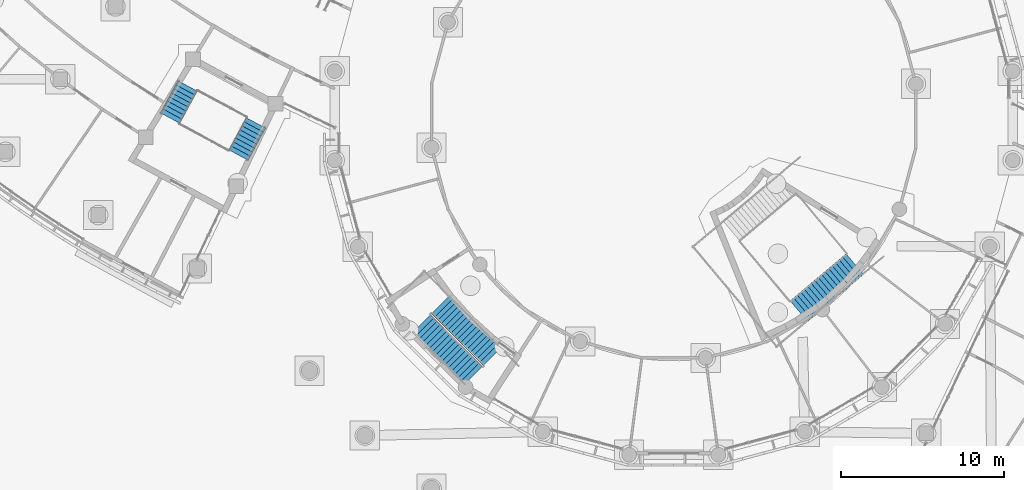
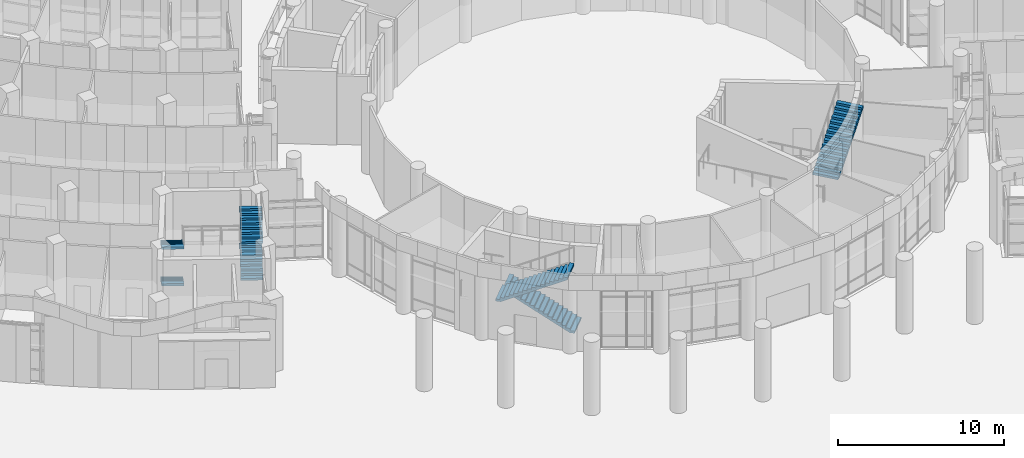
# One storey, part 95 of 146: 7 stair flights, 3 elements without a shape of their own.
"""IFC4 building model written with IfcOpenShell, lengths in metres."""

from ifc_helpers import new_model, si_unit, direction, frame, origin, place, context, subcontext, project, spatial, polyline, outline, extrude, material, type_object, element, aggregate, save


model = new_model("IFC4")

# Units and contexts
model_context = context("Model", 3, precision=1e-05, world=origin(), true_north=direction((0.0, 1.0)))
body_context = subcontext(model_context, "Body", "Model", "MODEL_VIEW")
ifc_project = project(units=[si_unit("LENGTHUNIT", "METRE"), si_unit("AREAUNIT", "SQUARE_METRE"), si_unit("VOLUMEUNIT", "CUBIC_METRE"), si_unit("PLANEANGLEUNIT", "RADIAN"), si_unit("MASSUNIT", "GRAM", prefix="KILO")], contexts=[model_context])

# Site, building, storey
site_placement = place(None, origin())
site = spatial("IfcSite", under=ifc_project, at=site_placement, CompositionType="ELEMENT")
building_placement = place(site_placement, origin())
building = spatial("IfcBuilding", under=site, at=building_placement, Name="Bougainvillea Quay General Hospital", CompositionType="ELEMENT")
storey_placement = place(building_placement, origin())
storey = spatial("IfcBuildingStorey", under=building, at=storey_placement, Name="L00", CompositionType="ELEMENT", Elevation=0.0)

# Stair, stair flights
ifc_material = material(Name="Concrete C35", Category="concrete")
stair_type_1 = type_object("IfcStairType", Name="Stair half-turn 1350 wide", PredefinedType="HALF_TURN_STAIR", material=ifc_material)
stair_1_placement = place(storey_placement, origin())
stair_1 = element("IfcStair", 1, at=stair_1_placement, inside=storey, type_object=stair_type_1, Name="L00 stair ST-W1", PredefinedType="HALF_TURN_STAIR")
stair_flight_type_1 = type_object("IfcStairFlightType", Name="Stair flight 1350", PredefinedType="STRAIGHT", material=ifc_material)
stair_flight_1_placement = place(storey_placement, frame((79.350830078125, 75.82470703125, 0.0), z_axis=(0.0, 0.0, 1.0), x_axis=(-0.475725718378, -0.879593679419, 0.0)))
stair_flight_1 = element("IfcStairFlight", 2, at=stair_flight_1_placement, type_object=stair_flight_type_1, Name="ST-W1 flight 1", NumberOfRisers=9, NumberOfTreads=8, PredefinedType="STRAIGHT", RiserHeight=0.15, TreadLength=0.28, context=body_context, shape_type="SweptSolid", body=[
    extrude(outline(polyline([(-0.0029296875, 0.0), (-0.0029296875, 0.003662109375), (-0.0029296875, 0.00732421875), (-0.0029296875, 0.010986328125), (-0.0029296875, 0.0146484375), (-0.0029296875, 0.018310546875), (-0.0029296875, 0.02197265625), (-0.0029296875, 0.025634765625), (-0.0029296875, 0.029296875), (-0.0029296875, 0.032958984375), (-0.0029296875, 0.03662109375), (-0.0029296875, 0.040283203125), (-0.0029296875, 0.0439453125), (-0.0029296875, 0.047607421875), (-0.0029296875, 0.05126953125), (-0.0029296875, 0.054931640625), (-0.0029296875, 0.05859375), (-0.0029296875, 0.062255859375), (-0.0029296875, 0.06591796875), (-0.0029296875, 0.069580078125), (-0.0029296875, 0.0732421875), (-0.0029296875, 0.076904296875), (-0.0029296875, 0.08056640625), (-0.0029296875, 0.084228515625), (-0.0029296875, 0.087890625), (-0.0029296875, 0.091552734375), (-0.0029296875, 0.09521484375), (-0.0029296875, 0.098876953125), (-0.0029296875, 0.1025390625), (-0.0029296875, 0.106201171875), (-0.0029296875, 0.10986328125), (-0.0029296875, 0.113525390625), (-0.0029296875, 0.1171875), (-0.0029296875, 0.120849609375), (-0.0029296875, 0.12451171875), (-0.0029296875, 0.1279296875), (-0.0029296875, 0.131591796875), (-0.0029296875, 0.13525390625), (-0.0029296875, 0.138916015625), (-0.0029296875, 0.142578125), (-0.0029296875, 0.146240234375), (-0.0029296875, 0.14990234375), (0.280029296875, 0.14990234375), (0.280029296875, 0.300048828125), (0.56005859375, 0.300048828125), (0.56005859375, 0.449951171875), (0.840087890625, 0.449951171875), (0.840087890625, 0.60009765625), (1.1201171875, 0.60009765625), (1.1201171875, 0.75), (1.39990234375, 0.75), (1.39990234375, 0.89990234375), (1.679931640625, 0.89990234375), (1.679931640625, 1.050048828125), (1.9599609375, 1.050048828125), (1.9599609375, 1.199951171875), (2.242919921875, 1.199951171875), (2.242919921875, 1.19580078125), (2.242919921875, 1.191650390625), (2.242919921875, 1.1875), (2.242919921875, 1.183349609375), (2.242919921875, 1.17919921875), (2.242919921875, 1.175048828125), (2.242919921875, 1.1708984375), (2.242919921875, 1.166748046875), (2.242919921875, 1.16259765625), (2.242919921875, 1.158447265625), (2.242919921875, 1.154296875), (2.242919921875, 1.150146484375), (2.242919921875, 1.14599609375), (2.242919921875, 1.141845703125), (2.242919921875, 1.1376953125), (2.242919921875, 1.133544921875), (2.242919921875, 1.12939453125), (2.242919921875, 1.125244140625), (2.242919921875, 1.12109375), (2.242919921875, 1.116943359375), (2.242919921875, 1.11279296875), (2.242919921875, 1.108642578125), (2.242919921875, 1.1044921875), (2.242919921875, 1.100341796875), (2.242919921875, 1.09619140625), (2.242919921875, 1.092041015625), (2.242919921875, 1.087890625), (2.242919921875, 1.083984375), (2.242919921875, 1.079833984375), (2.242919921875, 1.07568359375), (2.242919921875, 1.071533203125), (2.242919921875, 1.0673828125), (2.242919921875, 1.063232421875), (2.242919921875, 1.05908203125), (2.242919921875, 1.054931640625), (2.242919921875, 1.05078125), (2.242919921875, 1.046630859375), (2.242919921875, 1.04248046875), (2.242919921875, 1.038330078125), (2.242919921875, 1.0341796875), (2.242919921875, 1.030029296875), (0.3173828125, 0.0), (-0.0029296875, 0.0)])), frame((0.0, 0.675048828125, 0.0), z_axis=(0.0, -1.0, 0.0), x_axis=(1.0, 0.0, 0.0)), (0.0, 0.0, 1.0), 1.35009765625),
])
stair_flight_2_placement = place(storey_placement, frame((82.482421875, 71.584228515625, 1.35009765625), z_axis=(0.0, 0.0, 1.0), x_axis=(0.475725718378, 0.879593679419, 0.0)))
stair_flight_2 = element("IfcStairFlight", 3, at=stair_flight_2_placement, type_object=stair_flight_type_1, Name="ST-W1 flight 2", NumberOfRisers=9, NumberOfTreads=8, PredefinedType="STRAIGHT", RiserHeight=0.15, TreadLength=0.28, context=body_context, shape_type="SweptSolid", body=[
    extrude(outline(polyline([(-0.0029296875, 0.0), (-0.0029296875, 0.003662109375), (-0.0029296875, 0.00732421875), (-0.0029296875, 0.010986328125), (-0.0029296875, 0.0146484375), (-0.0029296875, 0.018310546875), (-0.0029296875, 0.02197265625), (-0.0029296875, 0.025634765625), (-0.0029296875, 0.029296875), (-0.0029296875, 0.032958984375), (-0.0029296875, 0.03662109375), (-0.0029296875, 0.040283203125), (-0.0029296875, 0.0439453125), (-0.0029296875, 0.047607421875), (-0.0029296875, 0.05126953125), (-0.0029296875, 0.054931640625), (-0.0029296875, 0.05859375), (-0.0029296875, 0.062255859375), (-0.0029296875, 0.06591796875), (-0.0029296875, 0.069580078125), (-0.0029296875, 0.0732421875), (-0.0029296875, 0.076904296875), (-0.0029296875, 0.08056640625), (-0.0029296875, 0.084228515625), (-0.0029296875, 0.087890625), (-0.0029296875, 0.091552734375), (-0.0029296875, 0.09521484375), (-0.0029296875, 0.098876953125), (-0.0029296875, 0.1025390625), (-0.0029296875, 0.106201171875), (-0.0029296875, 0.10986328125), (-0.0029296875, 0.113525390625), (-0.0029296875, 0.1171875), (-0.0029296875, 0.120849609375), (-0.0029296875, 0.12451171875), (-0.0029296875, 0.1279296875), (-0.0029296875, 0.131591796875), (-0.0029296875, 0.13525390625), (-0.0029296875, 0.138916015625), (-0.0029296875, 0.142578125), (-0.0029296875, 0.146240234375), (-0.0029296875, 0.14990234375), (0.280029296875, 0.14990234375), (0.280029296875, 0.300048828125), (0.56005859375, 0.300048828125), (0.56005859375, 0.449951171875), (0.840087890625, 0.449951171875), (0.840087890625, 0.60009765625), (1.1201171875, 0.60009765625), (1.1201171875, 0.75), (1.39990234375, 0.75), (1.39990234375, 0.89990234375), (1.679931640625, 0.89990234375), (1.679931640625, 1.050048828125), (1.9599609375, 1.050048828125), (1.9599609375, 1.199951171875), (2.242919921875, 1.199951171875), (2.242919921875, 1.19580078125), (2.242919921875, 1.191650390625), (2.242919921875, 1.1875), (2.242919921875, 1.183349609375), (2.242919921875, 1.17919921875), (2.242919921875, 1.175048828125), (2.242919921875, 1.1708984375), (2.242919921875, 1.166748046875), (2.242919921875, 1.16259765625), (2.242919921875, 1.158447265625), (2.242919921875, 1.154296875), (2.242919921875, 1.150146484375), (2.242919921875, 1.14599609375), (2.242919921875, 1.141845703125), (2.242919921875, 1.1376953125), (2.242919921875, 1.133544921875), (2.242919921875, 1.12939453125), (2.242919921875, 1.125244140625), (2.242919921875, 1.12109375), (2.242919921875, 1.116943359375), (2.242919921875, 1.11279296875), (2.242919921875, 1.108642578125), (2.242919921875, 1.1044921875), (2.242919921875, 1.100341796875), (2.242919921875, 1.09619140625), (2.242919921875, 1.092041015625), (2.242919921875, 1.087890625), (2.242919921875, 1.083984375), (2.242919921875, 1.079833984375), (2.242919921875, 1.07568359375), (2.242919921875, 1.071533203125), (2.242919921875, 1.0673828125), (2.242919921875, 1.063232421875), (2.242919921875, 1.05908203125), (2.242919921875, 1.054931640625), (2.242919921875, 1.05078125), (2.242919921875, 1.046630859375), (2.242919921875, 1.04248046875), (2.242919921875, 1.038330078125), (2.242919921875, 1.0341796875), (2.242919921875, 1.030029296875), (0.3173828125, 0.0), (-0.0029296875, 0.0)])), frame((0.0, 0.675048828125, 0.0), z_axis=(0.0, -1.0, 0.0), x_axis=(1.0, 0.0, 0.0)), (0.0, 0.0, 1.0), 1.35009765625),
])
stair_flight_3_placement = place(storey_placement, frame((79.350830078125, 75.82470703125, 2.699951171875), z_axis=(0.0, 0.0, 1.0), x_axis=(-0.475725718378, -0.879593679419, 0.0)))
stair_flight_3 = element("IfcStairFlight", 4, at=stair_flight_3_placement, type_object=stair_flight_type_1, Name="ST-W1 flight 3", NumberOfRisers=9, NumberOfTreads=8, PredefinedType="STRAIGHT", RiserHeight=0.15, TreadLength=0.28, context=body_context, shape_type="SweptSolid", body=[
    extrude(outline(polyline([(-0.0029296875, 0.0), (-0.0029296875, 0.003662109375), (-0.0029296875, 0.00732421875), (-0.0029296875, 0.010986328125), (-0.0029296875, 0.0146484375), (-0.0029296875, 0.018310546875), (-0.0029296875, 0.02197265625), (-0.0029296875, 0.025634765625), (-0.0029296875, 0.029296875), (-0.0029296875, 0.032958984375), (-0.0029296875, 0.03662109375), (-0.0029296875, 0.040283203125), (-0.0029296875, 0.0439453125), (-0.0029296875, 0.047607421875), (-0.0029296875, 0.05126953125), (-0.0029296875, 0.054931640625), (-0.0029296875, 0.05859375), (-0.0029296875, 0.062255859375), (-0.0029296875, 0.06591796875), (-0.0029296875, 0.069580078125), (-0.0029296875, 0.0732421875), (-0.0029296875, 0.076904296875), (-0.0029296875, 0.08056640625), (-0.0029296875, 0.084228515625), (-0.0029296875, 0.087890625), (-0.0029296875, 0.091552734375), (-0.0029296875, 0.09521484375), (-0.0029296875, 0.098876953125), (-0.0029296875, 0.1025390625), (-0.0029296875, 0.106201171875), (-0.0029296875, 0.10986328125), (-0.0029296875, 0.113525390625), (-0.0029296875, 0.1171875), (-0.0029296875, 0.120849609375), (-0.0029296875, 0.12451171875), (-0.0029296875, 0.1279296875), (-0.0029296875, 0.131591796875), (-0.0029296875, 0.13525390625), (-0.0029296875, 0.138916015625), (-0.0029296875, 0.142578125), (-0.0029296875, 0.146240234375), (-0.0029296875, 0.14990234375), (0.280029296875, 0.14990234375), (0.280029296875, 0.300048828125), (0.56005859375, 0.300048828125), (0.56005859375, 0.449951171875), (0.840087890625, 0.449951171875), (0.840087890625, 0.60009765625), (1.1201171875, 0.60009765625), (1.1201171875, 0.75), (1.39990234375, 0.75), (1.39990234375, 0.89990234375), (1.679931640625, 0.89990234375), (1.679931640625, 1.050048828125), (1.9599609375, 1.050048828125), (1.9599609375, 1.199951171875), (2.242919921875, 1.199951171875), (2.242919921875, 1.19580078125), (2.242919921875, 1.191650390625), (2.242919921875, 1.1875), (2.242919921875, 1.183349609375), (2.242919921875, 1.17919921875), (2.242919921875, 1.175048828125), (2.242919921875, 1.1708984375), (2.242919921875, 1.166748046875), (2.242919921875, 1.16259765625), (2.242919921875, 1.158447265625), (2.242919921875, 1.154296875), (2.242919921875, 1.150146484375), (2.242919921875, 1.14599609375), (2.242919921875, 1.141845703125), (2.242919921875, 1.1376953125), (2.242919921875, 1.133544921875), (2.242919921875, 1.12939453125), (2.242919921875, 1.125244140625), (2.242919921875, 1.12109375), (2.242919921875, 1.116943359375), (2.242919921875, 1.11279296875), (2.242919921875, 1.108642578125), (2.242919921875, 1.1044921875), (2.242919921875, 1.100341796875), (2.242919921875, 1.09619140625), (2.242919921875, 1.092041015625), (2.242919921875, 1.087890625), (2.242919921875, 1.083984375), (2.242919921875, 1.079833984375), (2.242919921875, 1.07568359375), (2.242919921875, 1.071533203125), (2.242919921875, 1.0673828125), (2.242919921875, 1.063232421875), (2.242919921875, 1.05908203125), (2.242919921875, 1.054931640625), (2.242919921875, 1.05078125), (2.242919921875, 1.046630859375), (2.242919921875, 1.04248046875), (2.242919921875, 1.038330078125), (2.242919921875, 1.0341796875), (2.242919921875, 1.030029296875), (0.3173828125, 0.0), (-0.0029296875, 0.0)])), frame((0.0, 0.675048828125, 0.0), z_axis=(0.0, -1.0, 0.0), x_axis=(1.0, 0.0, 0.0)), (0.0, 0.0, 1.0), 1.35009765625),
])
stair_flight_4_placement = place(storey_placement, frame((82.482421875, 71.584228515625, 4.050048828125), z_axis=(0.0, 0.0, 1.0), x_axis=(0.475725718378, 0.879593679419, 0.0)))
stair_flight_4 = element("IfcStairFlight", 5, at=stair_flight_4_placement, type_object=stair_flight_type_1, Name="ST-W1 flight 4", NumberOfRisers=9, NumberOfTreads=8, PredefinedType="STRAIGHT", RiserHeight=0.15, TreadLength=0.28, context=body_context, shape_type="SweptSolid", body=[
    extrude(outline(polyline([(-0.0029296875, 0.0), (-0.0029296875, 0.003662109375), (-0.0029296875, 0.00732421875), (-0.0029296875, 0.010986328125), (-0.0029296875, 0.0146484375), (-0.0029296875, 0.018310546875), (-0.0029296875, 0.02197265625), (-0.0029296875, 0.025634765625), (-0.0029296875, 0.029296875), (-0.0029296875, 0.032958984375), (-0.0029296875, 0.03662109375), (-0.0029296875, 0.040283203125), (-0.0029296875, 0.0439453125), (-0.0029296875, 0.047607421875), (-0.0029296875, 0.05126953125), (-0.0029296875, 0.054931640625), (-0.0029296875, 0.05859375), (-0.0029296875, 0.062255859375), (-0.0029296875, 0.06591796875), (-0.0029296875, 0.069580078125), (-0.0029296875, 0.0732421875), (-0.0029296875, 0.076904296875), (-0.0029296875, 0.08056640625), (-0.0029296875, 0.084228515625), (-0.0029296875, 0.087890625), (-0.0029296875, 0.091552734375), (-0.0029296875, 0.09521484375), (-0.0029296875, 0.098876953125), (-0.0029296875, 0.1025390625), (-0.0029296875, 0.106201171875), (-0.0029296875, 0.10986328125), (-0.0029296875, 0.113525390625), (-0.0029296875, 0.1171875), (-0.0029296875, 0.120849609375), (-0.0029296875, 0.12451171875), (-0.0029296875, 0.1279296875), (-0.0029296875, 0.131591796875), (-0.0029296875, 0.13525390625), (-0.0029296875, 0.138916015625), (-0.0029296875, 0.142578125), (-0.0029296875, 0.146240234375), (-0.0029296875, 0.14990234375), (0.280029296875, 0.14990234375), (0.280029296875, 0.300048828125), (0.56005859375, 0.300048828125), (0.56005859375, 0.449951171875), (0.840087890625, 0.449951171875), (0.840087890625, 0.60009765625), (1.1201171875, 0.60009765625), (1.1201171875, 0.75), (1.39990234375, 0.75), (1.39990234375, 0.89990234375), (1.679931640625, 0.89990234375), (1.679931640625, 1.050048828125), (1.9599609375, 1.050048828125), (1.9599609375, 1.199951171875), (2.242919921875, 1.199951171875), (2.242919921875, 1.19580078125), (2.242919921875, 1.191650390625), (2.242919921875, 1.1875), (2.242919921875, 1.183349609375), (2.242919921875, 1.17919921875), (2.242919921875, 1.175048828125), (2.242919921875, 1.1708984375), (2.242919921875, 1.166748046875), (2.242919921875, 1.16259765625), (2.242919921875, 1.158447265625), (2.242919921875, 1.154296875), (2.242919921875, 1.150146484375), (2.242919921875, 1.14599609375), (2.242919921875, 1.141845703125), (2.242919921875, 1.1376953125), (2.242919921875, 1.133544921875), (2.242919921875, 1.12939453125), (2.242919921875, 1.125244140625), (2.242919921875, 1.12109375), (2.242919921875, 1.116943359375), (2.242919921875, 1.11279296875), (2.242919921875, 1.108642578125), (2.242919921875, 1.1044921875), (2.242919921875, 1.100341796875), (2.242919921875, 1.09619140625), (2.242919921875, 1.092041015625), (2.242919921875, 1.087890625), (2.242919921875, 1.083984375), (2.242919921875, 1.079833984375), (2.242919921875, 1.07568359375), (2.242919921875, 1.071533203125), (2.242919921875, 1.0673828125), (2.242919921875, 1.063232421875), (2.242919921875, 1.05908203125), (2.242919921875, 1.054931640625), (2.242919921875, 1.05078125), (2.242919921875, 1.046630859375), (2.242919921875, 1.04248046875), (2.242919921875, 1.038330078125), (2.242919921875, 1.0341796875), (2.242919921875, 1.030029296875), (0.3173828125, 0.0), (-0.0029296875, 0.0)])), frame((0.0, 0.675048828125, 0.0), z_axis=(0.0, -1.0, 0.0), x_axis=(1.0, 0.0, 0.0)), (0.0, 0.0, 1.0), 1.35009765625),
])
aggregate(stair_1, [stair_flight_1, stair_flight_2, stair_flight_3, stair_flight_4])

stair_type_2 = type_object("IfcStairType", Name="Stair half-turn 1563 wide", PredefinedType="HALF_TURN_STAIR", material=ifc_material)
stair_2_placement = place(storey_placement, origin())
stair_2 = element("IfcStair", 6, at=stair_2_placement, inside=storey, type_object=stair_type_2, Name="L00 stair ST-H2", PredefinedType="HALF_TURN_STAIR")
stair_flight_type_2 = type_object("IfcStairFlightType", Name="Stair flight 1563", PredefinedType="STRAIGHT", material=ifc_material)
stair_flight_5_placement = place(storey_placement, frame((98.057861328125, 59.229248046875, 0.0), z_axis=(0.0, 0.0, 1.0), x_axis=(-0.707106781187, 0.707106781187, 0.0)))
stair_flight_5 = element("IfcStairFlight", 7, at=stair_flight_5_placement, type_object=stair_flight_type_2, Name="ST-H2 flight 1", NumberOfRisers=17, NumberOfTreads=16, PredefinedType="STRAIGHT", RiserHeight=0.158823529, TreadLength=0.28, context=body_context, shape_type="SweptSolid", body=[
    extrude(outline(polyline([(-0.0029296875, 0.0), (-0.0029296875, 0.00390625), (-0.0029296875, 0.0078125), (-0.0029296875, 0.01171875), (-0.0029296875, 0.015380859375), (-0.0029296875, 0.019287109375), (-0.0029296875, 0.023193359375), (-0.0029296875, 0.027099609375), (-0.0029296875, 0.031005859375), (-0.0029296875, 0.034912109375), (-0.0029296875, 0.038818359375), (-0.0029296875, 0.042724609375), (-0.0029296875, 0.04638671875), (-0.0029296875, 0.05029296875), (-0.0029296875, 0.05419921875), (-0.0029296875, 0.05810546875), (-0.0029296875, 0.06201171875), (-0.0029296875, 0.06591796875), (-0.0029296875, 0.06982421875), (-0.0029296875, 0.073486328125), (-0.0029296875, 0.077392578125), (-0.0029296875, 0.081298828125), (-0.0029296875, 0.085205078125), (-0.0029296875, 0.089111328125), (-0.0029296875, 0.093017578125), (-0.0029296875, 0.096923828125), (-0.0029296875, 0.100830078125), (-0.0029296875, 0.1044921875), (-0.0029296875, 0.1083984375), (-0.0029296875, 0.1123046875), (-0.0029296875, 0.1162109375), (-0.0029296875, 0.1201171875), (-0.0029296875, 0.1240234375), (-0.0029296875, 0.1279296875), (-0.0029296875, 0.131591796875), (-0.0029296875, 0.135498046875), (-0.0029296875, 0.139404296875), (-0.0029296875, 0.143310546875), (-0.0029296875, 0.147216796875), (-0.0029296875, 0.151123046875), (-0.0029296875, 0.155029296875), (-0.0029296875, 0.158935546875), (0.280029296875, 0.158935546875), (0.280029296875, 0.317626953125), (0.56005859375, 0.317626953125), (0.56005859375, 0.4765625), (0.840087890625, 0.4765625), (0.840087890625, 0.63525390625), (1.1201171875, 0.63525390625), (1.1201171875, 0.794189453125), (1.39990234375, 0.794189453125), (1.39990234375, 0.952880859375), (1.679931640625, 0.952880859375), (1.679931640625, 1.11181640625), (1.9599609375, 1.11181640625), (1.9599609375, 1.2705078125), (2.239990234375, 1.2705078125), (2.239990234375, 1.429443359375), (2.52001953125, 1.429443359375), (2.52001953125, 1.588134765625), (2.800048828125, 1.588134765625), (2.800048828125, 1.7470703125), (3.080078125, 1.7470703125), (3.080078125, 1.90576171875), (3.360107421875, 1.90576171875), (3.360107421875, 2.064697265625), (3.639892578125, 2.064697265625), (3.639892578125, 2.2236328125), (3.919921875, 2.2236328125), (3.919921875, 2.38232421875), (4.199951171875, 2.38232421875), (4.199951171875, 2.541259765625), (4.48291015625, 2.541259765625), (4.48291015625, 2.536865234375), (4.48291015625, 2.53271484375), (4.48291015625, 2.528564453125), (4.48291015625, 2.5244140625), (4.48291015625, 2.520263671875), (4.48291015625, 2.515869140625), (4.48291015625, 2.51171875), (4.48291015625, 2.507568359375), (4.48291015625, 2.50341796875), (4.48291015625, 2.4990234375), (4.48291015625, 2.494873046875), (4.48291015625, 2.49072265625), (4.48291015625, 2.486572265625), (4.48291015625, 2.482421875), (4.48291015625, 2.47802734375), (4.48291015625, 2.473876953125), (4.48291015625, 2.4697265625), (4.48291015625, 2.465576171875), (4.48291015625, 2.46142578125), (4.48291015625, 2.45703125), (4.48291015625, 2.452880859375), (4.48291015625, 2.44873046875), (4.48291015625, 2.444580078125), (4.48291015625, 2.440185546875), (4.48291015625, 2.43603515625), (4.48291015625, 2.431884765625), (4.48291015625, 2.427734375), (4.48291015625, 2.423583984375), (4.48291015625, 2.419189453125), (4.48291015625, 2.4150390625), (4.48291015625, 2.410888671875), (4.48291015625, 2.40673828125), (4.48291015625, 2.40234375), (4.48291015625, 2.398193359375), (4.48291015625, 2.39404296875), (4.48291015625, 2.389892578125), (4.48291015625, 2.3857421875), (4.48291015625, 2.38134765625), (4.48291015625, 2.377197265625), (4.48291015625, 2.373046875), (4.48291015625, 2.368896484375), (0.3037109375, 0.0), (-0.0029296875, 0.0)])), frame((0.0, 0.781494140625, 0.0), z_axis=(0.0, -1.0, 0.0), x_axis=(1.0, 0.0, 0.0)), (0.0, 0.0, 1.0), 1.56298828125),
])
stair_flight_6_placement = place(storey_placement, frame((93.714111328125, 61.22119140625, 2.699951171875), z_axis=(0.0, 0.0, 1.0), x_axis=(0.707106781187, -0.707106781187, 0.0)))
stair_flight_6 = element("IfcStairFlight", 8, at=stair_flight_6_placement, type_object=stair_flight_type_2, Name="ST-H2 flight 2", NumberOfRisers=17, NumberOfTreads=16, PredefinedType="STRAIGHT", RiserHeight=0.158823529, TreadLength=0.28, context=body_context, shape_type="SweptSolid", body=[
    extrude(outline(polyline([(-0.0029296875, 0.0), (-0.0029296875, 0.00390625), (-0.0029296875, 0.0078125), (-0.0029296875, 0.01171875), (-0.0029296875, 0.015380859375), (-0.0029296875, 0.019287109375), (-0.0029296875, 0.023193359375), (-0.0029296875, 0.027099609375), (-0.0029296875, 0.031005859375), (-0.0029296875, 0.034912109375), (-0.0029296875, 0.038818359375), (-0.0029296875, 0.042724609375), (-0.0029296875, 0.04638671875), (-0.0029296875, 0.05029296875), (-0.0029296875, 0.05419921875), (-0.0029296875, 0.05810546875), (-0.0029296875, 0.06201171875), (-0.0029296875, 0.06591796875), (-0.0029296875, 0.06982421875), (-0.0029296875, 0.073486328125), (-0.0029296875, 0.077392578125), (-0.0029296875, 0.081298828125), (-0.0029296875, 0.085205078125), (-0.0029296875, 0.089111328125), (-0.0029296875, 0.093017578125), (-0.0029296875, 0.096923828125), (-0.0029296875, 0.100830078125), (-0.0029296875, 0.1044921875), (-0.0029296875, 0.1083984375), (-0.0029296875, 0.1123046875), (-0.0029296875, 0.1162109375), (-0.0029296875, 0.1201171875), (-0.0029296875, 0.1240234375), (-0.0029296875, 0.1279296875), (-0.0029296875, 0.131591796875), (-0.0029296875, 0.135498046875), (-0.0029296875, 0.139404296875), (-0.0029296875, 0.143310546875), (-0.0029296875, 0.147216796875), (-0.0029296875, 0.151123046875), (-0.0029296875, 0.155029296875), (-0.0029296875, 0.158935546875), (0.280029296875, 0.158935546875), (0.280029296875, 0.317626953125), (0.56005859375, 0.317626953125), (0.56005859375, 0.4765625), (0.840087890625, 0.4765625), (0.840087890625, 0.63525390625), (1.1201171875, 0.63525390625), (1.1201171875, 0.794189453125), (1.39990234375, 0.794189453125), (1.39990234375, 0.952880859375), (1.679931640625, 0.952880859375), (1.679931640625, 1.11181640625), (1.9599609375, 1.11181640625), (1.9599609375, 1.2705078125), (2.239990234375, 1.2705078125), (2.239990234375, 1.429443359375), (2.52001953125, 1.429443359375), (2.52001953125, 1.588134765625), (2.800048828125, 1.588134765625), (2.800048828125, 1.7470703125), (3.080078125, 1.7470703125), (3.080078125, 1.90576171875), (3.360107421875, 1.90576171875), (3.360107421875, 2.064697265625), (3.639892578125, 2.064697265625), (3.639892578125, 2.2236328125), (3.919921875, 2.2236328125), (3.919921875, 2.38232421875), (4.199951171875, 2.38232421875), (4.199951171875, 2.541259765625), (4.48291015625, 2.541259765625), (4.48291015625, 2.536865234375), (4.48291015625, 2.53271484375), (4.48291015625, 2.528564453125), (4.48291015625, 2.5244140625), (4.48291015625, 2.520263671875), (4.48291015625, 2.515869140625), (4.48291015625, 2.51171875), (4.48291015625, 2.507568359375), (4.48291015625, 2.50341796875), (4.48291015625, 2.4990234375), (4.48291015625, 2.494873046875), (4.48291015625, 2.49072265625), (4.48291015625, 2.486572265625), (4.48291015625, 2.482421875), (4.48291015625, 2.47802734375), (4.48291015625, 2.473876953125), (4.48291015625, 2.4697265625), (4.48291015625, 2.465576171875), (4.48291015625, 2.46142578125), (4.48291015625, 2.45703125), (4.48291015625, 2.452880859375), (4.48291015625, 2.44873046875), (4.48291015625, 2.444580078125), (4.48291015625, 2.440185546875), (4.48291015625, 2.43603515625), (4.48291015625, 2.431884765625), (4.48291015625, 2.427734375), (4.48291015625, 2.423583984375), (4.48291015625, 2.419189453125), (4.48291015625, 2.4150390625), (4.48291015625, 2.410888671875), (4.48291015625, 2.40673828125), (4.48291015625, 2.40234375), (4.48291015625, 2.398193359375), (4.48291015625, 2.39404296875), (4.48291015625, 2.389892578125), (4.48291015625, 2.3857421875), (4.48291015625, 2.38134765625), (4.48291015625, 2.377197265625), (4.48291015625, 2.373046875), (4.48291015625, 2.368896484375), (0.3037109375, 0.0), (-0.0029296875, 0.0)])), frame((0.0, 0.781494140625, 0.0), z_axis=(0.0, -1.0, 0.0), x_axis=(1.0, 0.0, 0.0)), (0.0, 0.0, 1.0), 1.56298828125),
])
aggregate(stair_2, [stair_flight_5, stair_flight_6])

# Stair, stair flight
stair_type_3 = type_object("IfcStairType", Name="Stair half-turn 1650 wide", PredefinedType="HALF_TURN_STAIR", material=ifc_material)
stair_3_placement = place(storey_placement, origin())
stair_3 = element("IfcStair", 9, at=stair_3_placement, inside=storey, type_object=stair_type_3, Name="L00 stair ST-H3", PredefinedType="HALF_TURN_STAIR")
stair_flight_type_3 = type_object("IfcStairFlightType", Name="Stair flight 1650", PredefinedType="STRAIGHT", material=ifc_material)
stair_flight_7_placement = place(storey_placement, frame((116.884521484375, 62.004150390625, 2.699951171875), z_axis=(0.0, 0.0, 1.0), x_axis=(0.765925937559, 0.64292881268, 0.0)))
stair_flight_7 = element("IfcStairFlight", 10, at=stair_flight_7_placement, type_object=stair_flight_type_3, Name="ST-H3 flight 2", NumberOfRisers=17, NumberOfTreads=16, PredefinedType="STRAIGHT", RiserHeight=0.158823529, TreadLength=0.28, context=body_context, shape_type="SweptSolid", body=[
    extrude(outline(polyline([(-0.0029296875, 0.0), (-0.0029296875, 0.00390625), (-0.0029296875, 0.0078125), (-0.0029296875, 0.01171875), (-0.0029296875, 0.015380859375), (-0.0029296875, 0.019287109375), (-0.0029296875, 0.023193359375), (-0.0029296875, 0.027099609375), (-0.0029296875, 0.031005859375), (-0.0029296875, 0.034912109375), (-0.0029296875, 0.038818359375), (-0.0029296875, 0.042724609375), (-0.0029296875, 0.04638671875), (-0.0029296875, 0.05029296875), (-0.0029296875, 0.05419921875), (-0.0029296875, 0.05810546875), (-0.0029296875, 0.06201171875), (-0.0029296875, 0.06591796875), (-0.0029296875, 0.06982421875), (-0.0029296875, 0.073486328125), (-0.0029296875, 0.077392578125), (-0.0029296875, 0.081298828125), (-0.0029296875, 0.085205078125), (-0.0029296875, 0.089111328125), (-0.0029296875, 0.093017578125), (-0.0029296875, 0.096923828125), (-0.0029296875, 0.100830078125), (-0.0029296875, 0.1044921875), (-0.0029296875, 0.1083984375), (-0.0029296875, 0.1123046875), (-0.0029296875, 0.1162109375), (-0.0029296875, 0.1201171875), (-0.0029296875, 0.1240234375), (-0.0029296875, 0.1279296875), (-0.0029296875, 0.131591796875), (-0.0029296875, 0.135498046875), (-0.0029296875, 0.139404296875), (-0.0029296875, 0.143310546875), (-0.0029296875, 0.147216796875), (-0.0029296875, 0.151123046875), (-0.0029296875, 0.155029296875), (-0.0029296875, 0.158935546875), (0.280029296875, 0.158935546875), (0.280029296875, 0.317626953125), (0.56005859375, 0.317626953125), (0.56005859375, 0.4765625), (0.840087890625, 0.4765625), (0.840087890625, 0.63525390625), (1.1201171875, 0.63525390625), (1.1201171875, 0.794189453125), (1.39990234375, 0.794189453125), (1.39990234375, 0.952880859375), (1.679931640625, 0.952880859375), (1.679931640625, 1.11181640625), (1.9599609375, 1.11181640625), (1.9599609375, 1.2705078125), (2.239990234375, 1.2705078125), (2.239990234375, 1.429443359375), (2.52001953125, 1.429443359375), (2.52001953125, 1.588134765625), (2.800048828125, 1.588134765625), (2.800048828125, 1.7470703125), (3.080078125, 1.7470703125), (3.080078125, 1.90576171875), (3.360107421875, 1.90576171875), (3.360107421875, 2.064697265625), (3.639892578125, 2.064697265625), (3.639892578125, 2.2236328125), (3.919921875, 2.2236328125), (3.919921875, 2.38232421875), (4.199951171875, 2.38232421875), (4.199951171875, 2.541259765625), (4.48291015625, 2.541259765625), (4.48291015625, 2.536865234375), (4.48291015625, 2.53271484375), (4.48291015625, 2.528564453125), (4.48291015625, 2.5244140625), (4.48291015625, 2.520263671875), (4.48291015625, 2.515869140625), (4.48291015625, 2.51171875), (4.48291015625, 2.507568359375), (4.48291015625, 2.50341796875), (4.48291015625, 2.4990234375), (4.48291015625, 2.494873046875), (4.48291015625, 2.49072265625), (4.48291015625, 2.486572265625), (4.48291015625, 2.482421875), (4.48291015625, 2.47802734375), (4.48291015625, 2.473876953125), (4.48291015625, 2.4697265625), (4.48291015625, 2.465576171875), (4.48291015625, 2.46142578125), (4.48291015625, 2.45703125), (4.48291015625, 2.452880859375), (4.48291015625, 2.44873046875), (4.48291015625, 2.444580078125), (4.48291015625, 2.440185546875), (4.48291015625, 2.43603515625), (4.48291015625, 2.431884765625), (4.48291015625, 2.427734375), (4.48291015625, 2.423583984375), (4.48291015625, 2.419189453125), (4.48291015625, 2.4150390625), (4.48291015625, 2.410888671875), (4.48291015625, 2.40673828125), (4.48291015625, 2.40234375), (4.48291015625, 2.398193359375), (4.48291015625, 2.39404296875), (4.48291015625, 2.389892578125), (4.48291015625, 2.3857421875), (4.48291015625, 2.38134765625), (4.48291015625, 2.377197265625), (4.48291015625, 2.373046875), (4.48291015625, 2.368896484375), (0.3037109375, 0.0), (-0.0029296875, 0.0)])), frame((0.0, 0.824951171875, 0.0), z_axis=(0.0, -1.0, 0.0), x_axis=(1.0, 0.0, 0.0)), (0.0, 0.0, 1.0), 1.64990234375),
])
aggregate(stair_3, [stair_flight_7])

save(model, "model.ifc")
